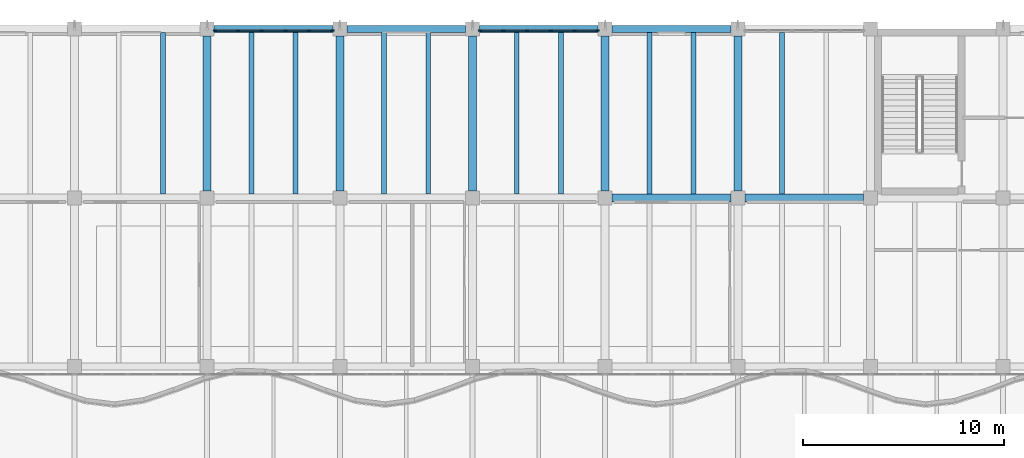
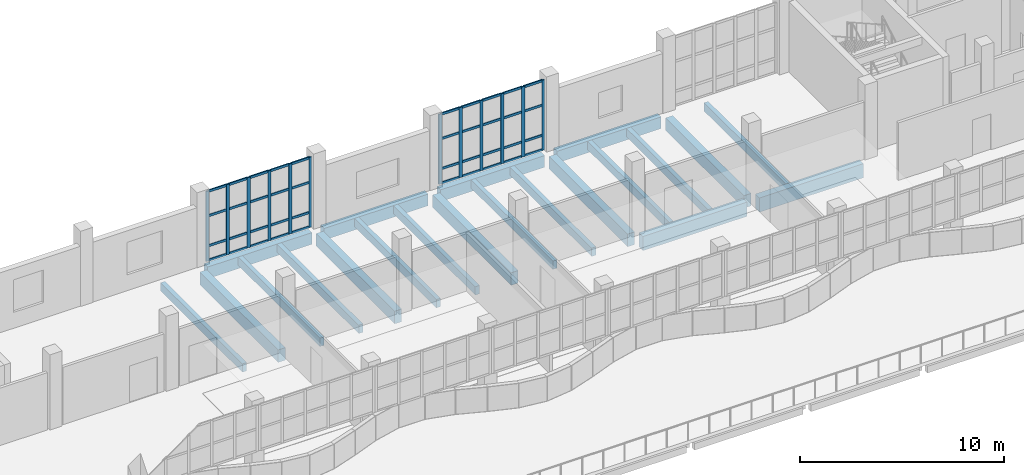
# One storey, part 15 of 83: 52 members, 21 beams, 2 elements without a shape of their own.
"""IFC4 building model written with IfcOpenShell, lengths in metres."""

from ifc_helpers import new_model, si_unit, direction, frame, origin, origin_2d, place, context, subcontext, project, spatial, rectangle, extrude, material, material_profile, profile_set, type_object, element, aggregate, save


model = new_model("IFC4")

# Units and contexts
model_context = context("Model", 3, precision=1e-05, world=origin(), true_north=direction((0.0, 1.0)))
body_context = subcontext(model_context, "Body", "Model", "MODEL_VIEW")
ifc_project = project(units=[si_unit("LENGTHUNIT", "METRE"), si_unit("AREAUNIT", "SQUARE_METRE"), si_unit("VOLUMEUNIT", "CUBIC_METRE"), si_unit("PLANEANGLEUNIT", "RADIAN"), si_unit("MASSUNIT", "GRAM", prefix="KILO")], contexts=[model_context])

# Site, building, storey
site_placement = place(None, origin())
site = spatial("IfcSite", under=ifc_project, at=site_placement, CompositionType="ELEMENT")
building_placement = place(site_placement, origin())
building = spatial("IfcBuilding", under=site, at=building_placement, Name="Qaldarim Faculty of Natural and Applied Sciences", CompositionType="ELEMENT")
storey_placement = place(building_placement, frame((0.0, 0.0, 5.39990234375)))
storey = spatial("IfcBuildingStorey", under=building, at=storey_placement, Name="L01", CompositionType="ELEMENT", Elevation=5.39990234375)

# Beams
ifc_material_1 = material(Name="Concrete C40/50", Category="concrete")
ifc_material_profile_1 = material_profile(ifc_material_1, rectangle(XDim=0.239990234375, YDim=0.5, at=origin_2d()), Name="RC-J240x500")
ifc_profile_set_1 = profile_set([ifc_material_profile_1], Name="Concrete C40/50")
beam_type_1 = type_object("IfcBeamType", Name="HeavyJoist-RC240x500", PredefinedType="JOIST", material=ifc_profile_set_1)
for number, where, z_axis, x_axis, name in (
    (1, (63.800048828125, 109.39990234375, -0.5498046875), (0.0, 1.0, 0.0), (-1.0, 0.0, 0.0), "Laboratory joist L00 bay X10Y14-2"),
    (2, (68.199951171875, 109.39990234375, -0.5498046875), (0.0, 1.0, 0.0), (-1.0, 0.0, 0.0), "Laboratory joist L00 bay X11Y14-1"),
    (3, (70.39990234375, 109.39990234375, -0.5498046875), (0.0, 1.0, 0.0), (-1.0, 0.0, 0.0), "Laboratory joist L00 bay X11Y14-2"),
    (4, (74.800048828125, 109.39990234375, -0.5498046875), (0.0, 1.0, 0.0), (-1.0, 0.0, 0.0), "Laboratory joist L00 bay X12Y14-1"),
    (5, (77.0, 109.39990234375, -0.5498046875), (0.0, 1.0, 0.0), (-1.0, 0.0, 0.0), "Laboratory joist L00 bay X12Y14-2"),
    (6, (81.39990234375, 109.39990234375, -0.5498046875), (0.0, 1.0, 0.0), (-1.0, 0.0, 0.0), "Laboratory joist L00 bay X13Y14-1"),
    (7, (83.60009765625, 109.39990234375, -0.5498046875), (0.0, 1.0, 0.0), (-1.0, 0.0, 0.0), "Laboratory joist L00 bay X13Y14-2"),
    (8, (88.0, 109.39990234375, -0.5498046875), (0.0, 1.0, 0.0), (-1.0, 0.0, 0.0), "Laboratory joist L00 bay X14Y14-1"),
    (9, (90.199951171875, 109.39990234375, -0.5498046875), (0.0, 1.0, 0.0), (-1.0, 0.0, 0.0), "Laboratory joist L00 bay X14Y14-2"),
    (10, (94.60009765625, 109.39990234375, -0.5498046875), (0.0, 1.0, 0.0), (-1.0, 0.0, 0.0), "Laboratory joist L00 bay X15Y14-1"),
):
    element("IfcBeam", number, at=place(storey_placement, frame(where, z_axis=z_axis, x_axis=x_axis)), inside=storey, type_object=beam_type_1, Name=name, PredefinedType="JOIST", context=body_context, shape_type="SweptSolid", body=[
        extrude(rectangle(XDim=0.239990234375, YDim=0.5, at=origin_2d()), origin(), (0.0, 0.0, 1.0), 8.025146484375),
    ])
ifc_material_2 = material(Name="Concrete C50/60", Category="concrete")
ifc_material_profile_2 = material_profile(ifc_material_2, rectangle(XDim=0.39990234375, YDim=0.75, at=origin_2d()), Name="RC-B400x750")
ifc_profile_set_2 = profile_set([ifc_material_profile_2], Name="Concrete C50/60")
beam_type_2 = type_object("IfcBeamType", Name="LabGirder-RC400x750", PredefinedType="BEAM", material=ifc_profile_set_2)
for number, where, z_axis, x_axis, name in (
    (11, (66.0, 109.550048828125, -0.6748046875), (0.0, 1.0, 0.0), (-1.0, 0.0, 0.0), "Beam RC-B400x750 L00 X11/Y14-Y15"),
    (12, (72.60009765625, 109.550048828125, -0.6748046875), (0.0, 1.0, 0.0), (-1.0, 0.0, 0.0), "Beam RC-B400x750 L00 X12/Y14-Y15"),
    (13, (79.199951171875, 109.550048828125, -0.6748046875), (0.0, 1.0, 0.0), (-1.0, 0.0, 0.0), "Beam RC-B400x750 L00 X13/Y14-Y15"),
    (14, (85.800048828125, 109.550048828125, -0.6748046875), (0.0, 1.0, 0.0), (-1.0, 0.0, 0.0), "Beam RC-B400x750 L00 X14/Y14-Y15"),
    (15, (92.39990234375, 109.550048828125, -0.6748046875), (0.0, 1.0, 0.0), (-1.0, 0.0, 0.0), "Beam RC-B400x750 L00 X15/Y14-Y15"),
):
    element("IfcBeam", number, at=place(storey_placement, frame(where, z_axis=z_axis, x_axis=x_axis)), inside=storey, type_object=beam_type_2, Name=name, PredefinedType="BEAM", context=body_context, shape_type="SweptSolid", body=[
        extrude(rectangle(XDim=0.39990234375, YDim=0.75, at=origin_2d()), origin(), (0.0, 0.0, 1.0), 7.699951171875),
    ])

# Curtain wall, members
ifc_material_3 = material(Name="Anodised aluminium AW-6063", Category="aluminium")
curtain_wall_type = type_object("IfcCurtainWallType", Name="CurtainWallSystem-M1200", PredefinedType="USERDEFINED", material=ifc_material_3)
curtain_wall_1_placement = place(storey_placement, origin())
curtain_wall_1 = element("IfcCurtainWall", 16, at=curtain_wall_1_placement, inside=storey, type_object=curtain_wall_type, Name="Curtain wall CW-L01-N-X11Y14", ObjectType="STICK CURTAIN WALL", PredefinedType="USERDEFINED")
ifc_material_profile_3 = material_profile(ifc_material_3, rectangle(XDim=0.070068359375, YDim=0.179931640625, at=origin_2d()), Name="ALU-M70x180")
ifc_profile_set_3 = profile_set([ifc_material_profile_3], Name="Anodised aluminium AW-6063")
member_type_1 = type_object("IfcMemberType", Name="Mullion-ALU70x180", PredefinedType="MULLION", material=ifc_profile_set_3)
member_1_placement = place(storey_placement, frame((72.219970703125, 117.52001953125, 0.0), z_axis=(0.0, 0.0, 1.0), x_axis=(0.0, -1.0, 0.0)))
member_1 = element("IfcMember", 17, at=member_1_placement, type_object=member_type_1, Name="Mullion 1 of CW-L01-N-X11Y14", PredefinedType="MULLION", context=body_context, shape_type="SweptSolid", body=[
    extrude(rectangle(XDim=0.070068359375, YDim=0.179931640625, at=origin_2d()), origin(), (0.0, 0.0, 1.0), 4.2001953125),
])
member_2_placement = place(storey_placement, frame((71.072998046875, 117.52001953125, 0.0), z_axis=(0.0, 0.0, 1.0), x_axis=(0.0, -1.0, 0.0)))
member_2 = element("IfcMember", 18, at=member_2_placement, type_object=member_type_1, Name="Mullion 2 of CW-L01-N-X11Y14", PredefinedType="MULLION", context=body_context, shape_type="SweptSolid", body=[
    extrude(rectangle(XDim=0.070068359375, YDim=0.179931640625, at=origin_2d()), origin(), (0.0, 0.0, 1.0), 4.2001953125),
])
member_3_placement = place(storey_placement, frame((69.89111328125, 117.52001953125, 0.0), z_axis=(0.0, 0.0, 1.0), x_axis=(0.0, -1.0, 0.0)))
member_3 = element("IfcMember", 19, at=member_3_placement, type_object=member_type_1, Name="Mullion 3 of CW-L01-N-X11Y14", PredefinedType="MULLION", context=body_context, shape_type="SweptSolid", body=[
    extrude(rectangle(XDim=0.070068359375, YDim=0.179931640625, at=origin_2d()), origin(), (0.0, 0.0, 1.0), 4.2001953125),
])
member_4_placement = place(storey_placement, frame((68.708984375, 117.52001953125, 0.0), z_axis=(0.0, 0.0, 1.0), x_axis=(0.0, -1.0, 0.0)))
member_4 = element("IfcMember", 20, at=member_4_placement, type_object=member_type_1, Name="Mullion 4 of CW-L01-N-X11Y14", PredefinedType="MULLION", context=body_context, shape_type="SweptSolid", body=[
    extrude(rectangle(XDim=0.070068359375, YDim=0.179931640625, at=origin_2d()), origin(), (0.0, 0.0, 1.0), 4.2001953125),
])
member_5_placement = place(storey_placement, frame((67.527099609375, 117.52001953125, 0.0), z_axis=(0.0, 0.0, 1.0), x_axis=(0.0, -1.0, 0.0)))
member_5 = element("IfcMember", 21, at=member_5_placement, type_object=member_type_1, Name="Mullion 5 of CW-L01-N-X11Y14", PredefinedType="MULLION", context=body_context, shape_type="SweptSolid", body=[
    extrude(rectangle(XDim=0.070068359375, YDim=0.179931640625, at=origin_2d()), origin(), (0.0, 0.0, 1.0), 4.2001953125),
])
member_6_placement = place(storey_placement, frame((66.3798828125, 117.52001953125, 0.0), z_axis=(0.0, 0.0, 1.0), x_axis=(0.0, -1.0, 0.0)))
member_6 = element("IfcMember", 22, at=member_6_placement, type_object=member_type_1, Name="Mullion 6 of CW-L01-N-X11Y14", PredefinedType="MULLION", context=body_context, shape_type="SweptSolid", body=[
    extrude(rectangle(XDim=0.070068359375, YDim=0.179931640625, at=origin_2d()), origin(), (0.0, 0.0, 1.0), 4.2001953125),
])

curtain_wall_2_placement = place(storey_placement, origin())
curtain_wall_2 = element("IfcCurtainWall", 23, at=curtain_wall_2_placement, inside=storey, type_object=curtain_wall_type, Name="Curtain wall CW-L01-N-X13Y14", ObjectType="STICK CURTAIN WALL", PredefinedType="USERDEFINED")
member_7_placement = place(storey_placement, frame((85.419921875, 117.52001953125, 0.0), z_axis=(0.0, 0.0, 1.0), x_axis=(0.0, -1.0, 0.0)))
member_7 = element("IfcMember", 24, at=member_7_placement, type_object=member_type_1, Name="Mullion 1 of CW-L01-N-X13Y14", PredefinedType="MULLION", context=body_context, shape_type="SweptSolid", body=[
    extrude(rectangle(XDim=0.070068359375, YDim=0.179931640625, at=origin_2d()), origin(), (0.0, 0.0, 1.0), 4.2001953125),
])
member_8_placement = place(storey_placement, frame((84.27294921875, 117.52001953125, 0.0), z_axis=(0.0, 0.0, 1.0), x_axis=(0.0, -1.0, 0.0)))
member_8 = element("IfcMember", 25, at=member_8_placement, type_object=member_type_1, Name="Mullion 2 of CW-L01-N-X13Y14", PredefinedType="MULLION", context=body_context, shape_type="SweptSolid", body=[
    extrude(rectangle(XDim=0.070068359375, YDim=0.179931640625, at=origin_2d()), origin(), (0.0, 0.0, 1.0), 4.2001953125),
])
member_9_placement = place(storey_placement, frame((83.091064453125, 117.52001953125, 0.0), z_axis=(0.0, 0.0, 1.0), x_axis=(0.0, -1.0, 0.0)))
member_9 = element("IfcMember", 26, at=member_9_placement, type_object=member_type_1, Name="Mullion 3 of CW-L01-N-X13Y14", PredefinedType="MULLION", context=body_context, shape_type="SweptSolid", body=[
    extrude(rectangle(XDim=0.070068359375, YDim=0.179931640625, at=origin_2d()), origin(), (0.0, 0.0, 1.0), 4.2001953125),
])
member_10_placement = place(storey_placement, frame((81.908935546875, 117.52001953125, 0.0), z_axis=(0.0, 0.0, 1.0), x_axis=(0.0, -1.0, 0.0)))
member_10 = element("IfcMember", 27, at=member_10_placement, type_object=member_type_1, Name="Mullion 4 of CW-L01-N-X13Y14", PredefinedType="MULLION", context=body_context, shape_type="SweptSolid", body=[
    extrude(rectangle(XDim=0.070068359375, YDim=0.179931640625, at=origin_2d()), origin(), (0.0, 0.0, 1.0), 4.2001953125),
])
member_11_placement = place(storey_placement, frame((80.72705078125, 117.52001953125, 0.0), z_axis=(0.0, 0.0, 1.0), x_axis=(0.0, -1.0, 0.0)))
member_11 = element("IfcMember", 28, at=member_11_placement, type_object=member_type_1, Name="Mullion 5 of CW-L01-N-X13Y14", PredefinedType="MULLION", context=body_context, shape_type="SweptSolid", body=[
    extrude(rectangle(XDim=0.070068359375, YDim=0.179931640625, at=origin_2d()), origin(), (0.0, 0.0, 1.0), 4.2001953125),
])
member_12_placement = place(storey_placement, frame((79.580078125, 117.52001953125, 0.0), z_axis=(0.0, 0.0, 1.0), x_axis=(0.0, -1.0, 0.0)))
member_12 = element("IfcMember", 29, at=member_12_placement, type_object=member_type_1, Name="Mullion 6 of CW-L01-N-X13Y14", PredefinedType="MULLION", context=body_context, shape_type="SweptSolid", body=[
    extrude(rectangle(XDim=0.070068359375, YDim=0.179931640625, at=origin_2d()), origin(), (0.0, 0.0, 1.0), 4.2001953125),
])

# Beams
ifc_material_profile_4 = material_profile(ifc_material_2, rectangle(XDim=0.39990234375, YDim=0.85009765625, at=origin_2d()), Name="RC-B400x850")
ifc_profile_set_4 = profile_set([ifc_material_profile_4], Name="Concrete C50/60")
beam_type_3 = type_object("IfcBeamType", Name="PodiumGirder-RC400x850", PredefinedType="BEAM", material=ifc_profile_set_4)
beam_1_placement = place(storey_placement, frame((86.14990234375, 109.199951171875, -0.724853515625), z_axis=(1.0, 0.0, 0.0), x_axis=(0.0, 1.0, 0.0)))
element("IfcBeam", 30, at=beam_1_placement, inside=storey, type_object=beam_type_3, Name="Beam RC-B400x850 L00 X14-X15/Y14", PredefinedType="BEAM", context=body_context, shape_type="SweptSolid", body=[
    extrude(rectangle(XDim=0.39990234375, YDim=0.85009765625, at=origin_2d()), origin(), (0.0, 0.0, 1.0), 5.900146484375),
])
beam_2_placement = place(storey_placement, frame((92.75, 109.199951171875, -0.724853515625), z_axis=(1.0, 0.0, 0.0), x_axis=(0.0, 1.0, 0.0)))
element("IfcBeam", 31, at=beam_2_placement, inside=storey, type_object=beam_type_3, Name="Beam RC-B400x850 L00 X15-X16/Y14", PredefinedType="BEAM", context=body_context, shape_type="SweptSolid", body=[
    extrude(rectangle(XDim=0.39990234375, YDim=0.85009765625, at=origin_2d()), origin(), (0.0, 0.0, 1.0), 5.89990234375),
])
ifc_material_profile_5 = material_profile(ifc_material_1, rectangle(XDim=0.35009765625, YDim=0.699951171875, at=origin_2d()), Name="RC-B350x700")
ifc_profile_set_5 = profile_set([ifc_material_profile_5], Name="Concrete C40/50")
beam_type_4 = type_object("IfcBeamType", Name="PrimaryGirder-RC350x700", PredefinedType="BEAM", material=ifc_profile_set_5)
beam_3_placement = place(storey_placement, frame((66.35009765625, 117.60009765625, -0.64990234375), z_axis=(1.0, 0.0, 0.0), x_axis=(0.0, 1.0, 0.0)))
element("IfcBeam", 32, at=beam_3_placement, inside=storey, type_object=beam_type_4, Name="Beam RC-B350x700 L00 X11-X12/Y15", PredefinedType="BEAM", context=body_context, shape_type="SweptSolid", body=[
    extrude(rectangle(XDim=0.35009765625, YDim=0.699951171875, at=origin_2d()), origin(), (0.0, 0.0, 1.0), 5.89990234375),
])
beam_4_placement = place(storey_placement, frame((72.949951171875, 117.60009765625, -0.64990234375), z_axis=(1.0, 0.0, 0.0), x_axis=(0.0, 1.0, 0.0)))
element("IfcBeam", 33, at=beam_4_placement, inside=storey, type_object=beam_type_4, Name="Beam RC-B350x700 L00 X12-X13/Y15", PredefinedType="BEAM", context=body_context, shape_type="SweptSolid", body=[
    extrude(rectangle(XDim=0.35009765625, YDim=0.699951171875, at=origin_2d()), origin(), (0.0, 0.0, 1.0), 5.900146484375),
])
beam_5_placement = place(storey_placement, frame((79.550048828125, 117.60009765625, -0.64990234375), z_axis=(1.0, 0.0, 0.0), x_axis=(0.0, 1.0, 0.0)))
element("IfcBeam", 34, at=beam_5_placement, inside=storey, type_object=beam_type_4, Name="Beam RC-B350x700 L00 X13-X14/Y15", PredefinedType="BEAM", context=body_context, shape_type="SweptSolid", body=[
    extrude(rectangle(XDim=0.35009765625, YDim=0.699951171875, at=origin_2d()), origin(), (0.0, 0.0, 1.0), 5.89990234375),
])
beam_6_placement = place(storey_placement, frame((86.14990234375, 117.60009765625, -0.64990234375), z_axis=(1.0, 0.0, 0.0), x_axis=(0.0, 1.0, 0.0)))
element("IfcBeam", 35, at=beam_6_placement, inside=storey, type_object=beam_type_4, Name="Beam RC-B350x700 L00 X14-X15/Y15", PredefinedType="BEAM", context=body_context, shape_type="SweptSolid", body=[
    extrude(rectangle(XDim=0.35009765625, YDim=0.699951171875, at=origin_2d()), origin(), (0.0, 0.0, 1.0), 5.900146484375),
])

# Member
ifc_material_profile_6 = material_profile(ifc_material_3, rectangle(XDim=0.070068359375, YDim=0.139892578125, at=origin_2d()), Name="ALU-T70x140")
ifc_profile_set_6 = profile_set([ifc_material_profile_6], Name="Anodised aluminium AW-6063")
member_type_2 = type_object("IfcMemberType", Name="Transom-ALU70x140", PredefinedType="USERDEFINED", material=ifc_profile_set_6)
member_13_placement = place(storey_placement, frame((72.18505859375, 117.52001953125, 0.03515625), z_axis=(-1.0, 0.0, 0.0), x_axis=(0.0, -1.0, 0.0)))
member_13 = element("IfcMember", 36, at=member_13_placement, type_object=member_type_2, Name="Transom 1-1 of CW-L01-N-X11Y14", ObjectType="TRANSOM", PredefinedType="USERDEFINED", context=body_context, shape_type="SweptSolid", body=[
    extrude(rectangle(XDim=0.070068359375, YDim=0.139892578125, at=origin_2d()), origin(), (0.0, 0.0, 1.0), 1.0771484375),
])

member_14_placement = place(storey_placement, frame((72.18505859375, 117.52001953125, 0.900146484375), z_axis=(-1.0, 0.0, 0.0), x_axis=(0.0, -1.0, 0.0)))
member_14 = element("IfcMember", 37, at=member_14_placement, type_object=member_type_2, Name="Transom 1-2 of CW-L01-N-X11Y14", ObjectType="TRANSOM", PredefinedType="USERDEFINED", context=body_context, shape_type="SweptSolid", body=[
    extrude(rectangle(XDim=0.070068359375, YDim=0.139892578125, at=origin_2d()), origin(), (0.0, 0.0, 1.0), 1.0771484375),
])

member_15_placement = place(storey_placement, frame((72.18505859375, 117.52001953125, 2.7001953125), z_axis=(-1.0, 0.0, 0.0), x_axis=(0.0, -1.0, 0.0)))
member_15 = element("IfcMember", 38, at=member_15_placement, type_object=member_type_2, Name="Transom 1-3 of CW-L01-N-X11Y14", ObjectType="TRANSOM", PredefinedType="USERDEFINED", context=body_context, shape_type="SweptSolid", body=[
    extrude(rectangle(XDim=0.070068359375, YDim=0.139892578125, at=origin_2d()), origin(), (0.0, 0.0, 1.0), 1.0771484375),
])

member_16_placement = place(storey_placement, frame((72.18505859375, 117.52001953125, 4.1650390625), z_axis=(-1.0, 0.0, 0.0), x_axis=(0.0, -1.0, 0.0)))
member_16 = element("IfcMember", 39, at=member_16_placement, type_object=member_type_2, Name="Transom 1-4 of CW-L01-N-X11Y14", ObjectType="TRANSOM", PredefinedType="USERDEFINED", context=body_context, shape_type="SweptSolid", body=[
    extrude(rectangle(XDim=0.070068359375, YDim=0.139892578125, at=origin_2d()), origin(), (0.0, 0.0, 1.0), 1.0771484375),
])

member_17_placement = place(storey_placement, frame((71.0380859375, 117.52001953125, 0.03515625), z_axis=(-1.0, 0.0, 0.0), x_axis=(0.0, -1.0, 0.0)))
member_17 = element("IfcMember", 40, at=member_17_placement, type_object=member_type_2, Name="Transom 2-1 of CW-L01-N-X11Y14", ObjectType="TRANSOM", PredefinedType="USERDEFINED", context=body_context, shape_type="SweptSolid", body=[
    extrude(rectangle(XDim=0.070068359375, YDim=0.139892578125, at=origin_2d()), origin(), (0.0, 0.0, 1.0), 1.112060546875),
])

member_18_placement = place(storey_placement, frame((71.0380859375, 117.52001953125, 0.900146484375), z_axis=(-1.0, 0.0, 0.0), x_axis=(0.0, -1.0, 0.0)))
member_18 = element("IfcMember", 41, at=member_18_placement, type_object=member_type_2, Name="Transom 2-2 of CW-L01-N-X11Y14", ObjectType="TRANSOM", PredefinedType="USERDEFINED", context=body_context, shape_type="SweptSolid", body=[
    extrude(rectangle(XDim=0.070068359375, YDim=0.139892578125, at=origin_2d()), origin(), (0.0, 0.0, 1.0), 1.112060546875),
])

member_19_placement = place(storey_placement, frame((71.0380859375, 117.52001953125, 2.7001953125), z_axis=(-1.0, 0.0, 0.0), x_axis=(0.0, -1.0, 0.0)))
member_19 = element("IfcMember", 42, at=member_19_placement, type_object=member_type_2, Name="Transom 2-3 of CW-L01-N-X11Y14", ObjectType="TRANSOM", PredefinedType="USERDEFINED", context=body_context, shape_type="SweptSolid", body=[
    extrude(rectangle(XDim=0.070068359375, YDim=0.139892578125, at=origin_2d()), origin(), (0.0, 0.0, 1.0), 1.112060546875),
])

member_20_placement = place(storey_placement, frame((71.0380859375, 117.52001953125, 4.1650390625), z_axis=(-1.0, 0.0, 0.0), x_axis=(0.0, -1.0, 0.0)))
member_20 = element("IfcMember", 43, at=member_20_placement, type_object=member_type_2, Name="Transom 2-4 of CW-L01-N-X11Y14", ObjectType="TRANSOM", PredefinedType="USERDEFINED", context=body_context, shape_type="SweptSolid", body=[
    extrude(rectangle(XDim=0.070068359375, YDim=0.139892578125, at=origin_2d()), origin(), (0.0, 0.0, 1.0), 1.112060546875),
])

member_21_placement = place(storey_placement, frame((69.85595703125, 117.52001953125, 0.03515625), z_axis=(-1.0, 0.0, 0.0), x_axis=(0.0, -1.0, 0.0)))
member_21 = element("IfcMember", 44, at=member_21_placement, type_object=member_type_2, Name="Transom 3-1 of CW-L01-N-X11Y14", ObjectType="TRANSOM", PredefinedType="USERDEFINED", context=body_context, shape_type="SweptSolid", body=[
    extrude(rectangle(XDim=0.070068359375, YDim=0.139892578125, at=origin_2d()), origin(), (0.0, 0.0, 1.0), 1.112060546875),
])

member_22_placement = place(storey_placement, frame((69.85595703125, 117.52001953125, 0.900146484375), z_axis=(-1.0, 0.0, 0.0), x_axis=(0.0, -1.0, 0.0)))
member_22 = element("IfcMember", 45, at=member_22_placement, type_object=member_type_2, Name="Transom 3-2 of CW-L01-N-X11Y14", ObjectType="TRANSOM", PredefinedType="USERDEFINED", context=body_context, shape_type="SweptSolid", body=[
    extrude(rectangle(XDim=0.070068359375, YDim=0.139892578125, at=origin_2d()), origin(), (0.0, 0.0, 1.0), 1.112060546875),
])

member_23_placement = place(storey_placement, frame((69.85595703125, 117.52001953125, 2.7001953125), z_axis=(-1.0, 0.0, 0.0), x_axis=(0.0, -1.0, 0.0)))
member_23 = element("IfcMember", 46, at=member_23_placement, type_object=member_type_2, Name="Transom 3-3 of CW-L01-N-X11Y14", ObjectType="TRANSOM", PredefinedType="USERDEFINED", context=body_context, shape_type="SweptSolid", body=[
    extrude(rectangle(XDim=0.070068359375, YDim=0.139892578125, at=origin_2d()), origin(), (0.0, 0.0, 1.0), 1.112060546875),
])

member_24_placement = place(storey_placement, frame((69.85595703125, 117.52001953125, 4.1650390625), z_axis=(-1.0, 0.0, 0.0), x_axis=(0.0, -1.0, 0.0)))
member_24 = element("IfcMember", 47, at=member_24_placement, type_object=member_type_2, Name="Transom 3-4 of CW-L01-N-X11Y14", ObjectType="TRANSOM", PredefinedType="USERDEFINED", context=body_context, shape_type="SweptSolid", body=[
    extrude(rectangle(XDim=0.070068359375, YDim=0.139892578125, at=origin_2d()), origin(), (0.0, 0.0, 1.0), 1.112060546875),
])

member_25_placement = place(storey_placement, frame((68.674072265625, 117.52001953125, 0.03515625), z_axis=(-1.0, 0.0, 0.0), x_axis=(0.0, -1.0, 0.0)))
member_25 = element("IfcMember", 48, at=member_25_placement, type_object=member_type_2, Name="Transom 4-1 of CW-L01-N-X11Y14", ObjectType="TRANSOM", PredefinedType="USERDEFINED", context=body_context, shape_type="SweptSolid", body=[
    extrude(rectangle(XDim=0.070068359375, YDim=0.139892578125, at=origin_2d()), origin(), (0.0, 0.0, 1.0), 1.112060546875),
])

member_26_placement = place(storey_placement, frame((68.674072265625, 117.52001953125, 0.900146484375), z_axis=(-1.0, 0.0, 0.0), x_axis=(0.0, -1.0, 0.0)))
member_26 = element("IfcMember", 49, at=member_26_placement, type_object=member_type_2, Name="Transom 4-2 of CW-L01-N-X11Y14", ObjectType="TRANSOM", PredefinedType="USERDEFINED", context=body_context, shape_type="SweptSolid", body=[
    extrude(rectangle(XDim=0.070068359375, YDim=0.139892578125, at=origin_2d()), origin(), (0.0, 0.0, 1.0), 1.112060546875),
])

member_27_placement = place(storey_placement, frame((68.674072265625, 117.52001953125, 2.7001953125), z_axis=(-1.0, 0.0, 0.0), x_axis=(0.0, -1.0, 0.0)))
member_27 = element("IfcMember", 50, at=member_27_placement, type_object=member_type_2, Name="Transom 4-3 of CW-L01-N-X11Y14", ObjectType="TRANSOM", PredefinedType="USERDEFINED", context=body_context, shape_type="SweptSolid", body=[
    extrude(rectangle(XDim=0.070068359375, YDim=0.139892578125, at=origin_2d()), origin(), (0.0, 0.0, 1.0), 1.112060546875),
])

member_28_placement = place(storey_placement, frame((68.674072265625, 117.52001953125, 4.1650390625), z_axis=(-1.0, 0.0, 0.0), x_axis=(0.0, -1.0, 0.0)))
member_28 = element("IfcMember", 51, at=member_28_placement, type_object=member_type_2, Name="Transom 4-4 of CW-L01-N-X11Y14", ObjectType="TRANSOM", PredefinedType="USERDEFINED", context=body_context, shape_type="SweptSolid", body=[
    extrude(rectangle(XDim=0.070068359375, YDim=0.139892578125, at=origin_2d()), origin(), (0.0, 0.0, 1.0), 1.112060546875),
])

member_29_placement = place(storey_placement, frame((67.491943359375, 117.52001953125, 0.03515625), z_axis=(-1.0, 0.0, 0.0), x_axis=(0.0, -1.0, 0.0)))
member_29 = element("IfcMember", 52, at=member_29_placement, type_object=member_type_2, Name="Transom 5-1 of CW-L01-N-X11Y14", ObjectType="TRANSOM", PredefinedType="USERDEFINED", context=body_context, shape_type="SweptSolid", body=[
    extrude(rectangle(XDim=0.070068359375, YDim=0.139892578125, at=origin_2d()), origin(), (0.0, 0.0, 1.0), 1.076904296875),
])

member_30_placement = place(storey_placement, frame((67.491943359375, 117.52001953125, 0.900146484375), z_axis=(-1.0, 0.0, 0.0), x_axis=(0.0, -1.0, 0.0)))
member_30 = element("IfcMember", 53, at=member_30_placement, type_object=member_type_2, Name="Transom 5-2 of CW-L01-N-X11Y14", ObjectType="TRANSOM", PredefinedType="USERDEFINED", context=body_context, shape_type="SweptSolid", body=[
    extrude(rectangle(XDim=0.070068359375, YDim=0.139892578125, at=origin_2d()), origin(), (0.0, 0.0, 1.0), 1.076904296875),
])

member_31_placement = place(storey_placement, frame((67.491943359375, 117.52001953125, 2.7001953125), z_axis=(-1.0, 0.0, 0.0), x_axis=(0.0, -1.0, 0.0)))
member_31 = element("IfcMember", 54, at=member_31_placement, type_object=member_type_2, Name="Transom 5-3 of CW-L01-N-X11Y14", ObjectType="TRANSOM", PredefinedType="USERDEFINED", context=body_context, shape_type="SweptSolid", body=[
    extrude(rectangle(XDim=0.070068359375, YDim=0.139892578125, at=origin_2d()), origin(), (0.0, 0.0, 1.0), 1.076904296875),
])

member_32_placement = place(storey_placement, frame((67.491943359375, 117.52001953125, 4.1650390625), z_axis=(-1.0, 0.0, 0.0), x_axis=(0.0, -1.0, 0.0)))
member_32 = element("IfcMember", 55, at=member_32_placement, type_object=member_type_2, Name="Transom 5-4 of CW-L01-N-X11Y14", ObjectType="TRANSOM", PredefinedType="USERDEFINED", context=body_context, shape_type="SweptSolid", body=[
    extrude(rectangle(XDim=0.070068359375, YDim=0.139892578125, at=origin_2d()), origin(), (0.0, 0.0, 1.0), 1.076904296875),
])

aggregate(curtain_wall_1, [member_1, member_2, member_3, member_4, member_5, member_6, member_13, member_14, member_15, member_16, member_17, member_18, member_19, member_20, member_21, member_22, member_23, member_24, member_25, member_26, member_27, member_28, member_29, member_30, member_31, member_32])

member_33_placement = place(storey_placement, frame((85.385009765625, 117.52001953125, 0.03515625), z_axis=(-1.0, 0.0, 0.0), x_axis=(0.0, -1.0, 0.0)))
member_33 = element("IfcMember", 56, at=member_33_placement, type_object=member_type_2, Name="Transom 1-1 of CW-L01-N-X13Y14", ObjectType="TRANSOM", PredefinedType="USERDEFINED", context=body_context, shape_type="SweptSolid", body=[
    extrude(rectangle(XDim=0.070068359375, YDim=0.139892578125, at=origin_2d()), origin(), (0.0, 0.0, 1.0), 1.076904296875),
])

member_34_placement = place(storey_placement, frame((85.385009765625, 117.52001953125, 0.900146484375), z_axis=(-1.0, 0.0, 0.0), x_axis=(0.0, -1.0, 0.0)))
member_34 = element("IfcMember", 57, at=member_34_placement, type_object=member_type_2, Name="Transom 1-2 of CW-L01-N-X13Y14", ObjectType="TRANSOM", PredefinedType="USERDEFINED", context=body_context, shape_type="SweptSolid", body=[
    extrude(rectangle(XDim=0.070068359375, YDim=0.139892578125, at=origin_2d()), origin(), (0.0, 0.0, 1.0), 1.076904296875),
])

member_35_placement = place(storey_placement, frame((85.385009765625, 117.52001953125, 2.7001953125), z_axis=(-1.0, 0.0, 0.0), x_axis=(0.0, -1.0, 0.0)))
member_35 = element("IfcMember", 58, at=member_35_placement, type_object=member_type_2, Name="Transom 1-3 of CW-L01-N-X13Y14", ObjectType="TRANSOM", PredefinedType="USERDEFINED", context=body_context, shape_type="SweptSolid", body=[
    extrude(rectangle(XDim=0.070068359375, YDim=0.139892578125, at=origin_2d()), origin(), (0.0, 0.0, 1.0), 1.076904296875),
])

member_36_placement = place(storey_placement, frame((85.385009765625, 117.52001953125, 4.1650390625), z_axis=(-1.0, 0.0, 0.0), x_axis=(0.0, -1.0, 0.0)))
member_36 = element("IfcMember", 59, at=member_36_placement, type_object=member_type_2, Name="Transom 1-4 of CW-L01-N-X13Y14", ObjectType="TRANSOM", PredefinedType="USERDEFINED", context=body_context, shape_type="SweptSolid", body=[
    extrude(rectangle(XDim=0.070068359375, YDim=0.139892578125, at=origin_2d()), origin(), (0.0, 0.0, 1.0), 1.076904296875),
])

member_37_placement = place(storey_placement, frame((84.238037109375, 117.52001953125, 0.03515625), z_axis=(-1.0, 0.0, 0.0), x_axis=(0.0, -1.0, 0.0)))
member_37 = element("IfcMember", 60, at=member_37_placement, type_object=member_type_2, Name="Transom 2-1 of CW-L01-N-X13Y14", ObjectType="TRANSOM", PredefinedType="USERDEFINED", context=body_context, shape_type="SweptSolid", body=[
    extrude(rectangle(XDim=0.070068359375, YDim=0.139892578125, at=origin_2d()), origin(), (0.0, 0.0, 1.0), 1.112060546875),
])

member_38_placement = place(storey_placement, frame((84.238037109375, 117.52001953125, 0.900146484375), z_axis=(-1.0, 0.0, 0.0), x_axis=(0.0, -1.0, 0.0)))
member_38 = element("IfcMember", 61, at=member_38_placement, type_object=member_type_2, Name="Transom 2-2 of CW-L01-N-X13Y14", ObjectType="TRANSOM", PredefinedType="USERDEFINED", context=body_context, shape_type="SweptSolid", body=[
    extrude(rectangle(XDim=0.070068359375, YDim=0.139892578125, at=origin_2d()), origin(), (0.0, 0.0, 1.0), 1.112060546875),
])

member_39_placement = place(storey_placement, frame((84.238037109375, 117.52001953125, 2.7001953125), z_axis=(-1.0, 0.0, 0.0), x_axis=(0.0, -1.0, 0.0)))
member_39 = element("IfcMember", 62, at=member_39_placement, type_object=member_type_2, Name="Transom 2-3 of CW-L01-N-X13Y14", ObjectType="TRANSOM", PredefinedType="USERDEFINED", context=body_context, shape_type="SweptSolid", body=[
    extrude(rectangle(XDim=0.070068359375, YDim=0.139892578125, at=origin_2d()), origin(), (0.0, 0.0, 1.0), 1.112060546875),
])

member_40_placement = place(storey_placement, frame((84.238037109375, 117.52001953125, 4.1650390625), z_axis=(-1.0, 0.0, 0.0), x_axis=(0.0, -1.0, 0.0)))
member_40 = element("IfcMember", 63, at=member_40_placement, type_object=member_type_2, Name="Transom 2-4 of CW-L01-N-X13Y14", ObjectType="TRANSOM", PredefinedType="USERDEFINED", context=body_context, shape_type="SweptSolid", body=[
    extrude(rectangle(XDim=0.070068359375, YDim=0.139892578125, at=origin_2d()), origin(), (0.0, 0.0, 1.0), 1.112060546875),
])

member_41_placement = place(storey_placement, frame((83.055908203125, 117.52001953125, 0.03515625), z_axis=(-1.0, 0.0, 0.0), x_axis=(0.0, -1.0, 0.0)))
member_41 = element("IfcMember", 64, at=member_41_placement, type_object=member_type_2, Name="Transom 3-1 of CW-L01-N-X13Y14", ObjectType="TRANSOM", PredefinedType="USERDEFINED", context=body_context, shape_type="SweptSolid", body=[
    extrude(rectangle(XDim=0.070068359375, YDim=0.139892578125, at=origin_2d()), origin(), (0.0, 0.0, 1.0), 1.11181640625),
])

member_42_placement = place(storey_placement, frame((83.055908203125, 117.52001953125, 0.900146484375), z_axis=(-1.0, 0.0, 0.0), x_axis=(0.0, -1.0, 0.0)))
member_42 = element("IfcMember", 65, at=member_42_placement, type_object=member_type_2, Name="Transom 3-2 of CW-L01-N-X13Y14", ObjectType="TRANSOM", PredefinedType="USERDEFINED", context=body_context, shape_type="SweptSolid", body=[
    extrude(rectangle(XDim=0.070068359375, YDim=0.139892578125, at=origin_2d()), origin(), (0.0, 0.0, 1.0), 1.11181640625),
])

member_43_placement = place(storey_placement, frame((83.055908203125, 117.52001953125, 2.7001953125), z_axis=(-1.0, 0.0, 0.0), x_axis=(0.0, -1.0, 0.0)))
member_43 = element("IfcMember", 66, at=member_43_placement, type_object=member_type_2, Name="Transom 3-3 of CW-L01-N-X13Y14", ObjectType="TRANSOM", PredefinedType="USERDEFINED", context=body_context, shape_type="SweptSolid", body=[
    extrude(rectangle(XDim=0.070068359375, YDim=0.139892578125, at=origin_2d()), origin(), (0.0, 0.0, 1.0), 1.11181640625),
])

member_44_placement = place(storey_placement, frame((83.055908203125, 117.52001953125, 4.1650390625), z_axis=(-1.0, 0.0, 0.0), x_axis=(0.0, -1.0, 0.0)))
member_44 = element("IfcMember", 67, at=member_44_placement, type_object=member_type_2, Name="Transom 3-4 of CW-L01-N-X13Y14", ObjectType="TRANSOM", PredefinedType="USERDEFINED", context=body_context, shape_type="SweptSolid", body=[
    extrude(rectangle(XDim=0.070068359375, YDim=0.139892578125, at=origin_2d()), origin(), (0.0, 0.0, 1.0), 1.11181640625),
])

member_45_placement = place(storey_placement, frame((81.8740234375, 117.52001953125, 0.03515625), z_axis=(-1.0, 0.0, 0.0), x_axis=(0.0, -1.0, 0.0)))
member_45 = element("IfcMember", 68, at=member_45_placement, type_object=member_type_2, Name="Transom 4-1 of CW-L01-N-X13Y14", ObjectType="TRANSOM", PredefinedType="USERDEFINED", context=body_context, shape_type="SweptSolid", body=[
    extrude(rectangle(XDim=0.070068359375, YDim=0.139892578125, at=origin_2d()), origin(), (0.0, 0.0, 1.0), 1.112060546875),
])

member_46_placement = place(storey_placement, frame((81.8740234375, 117.52001953125, 0.900146484375), z_axis=(-1.0, 0.0, 0.0), x_axis=(0.0, -1.0, 0.0)))
member_46 = element("IfcMember", 69, at=member_46_placement, type_object=member_type_2, Name="Transom 4-2 of CW-L01-N-X13Y14", ObjectType="TRANSOM", PredefinedType="USERDEFINED", context=body_context, shape_type="SweptSolid", body=[
    extrude(rectangle(XDim=0.070068359375, YDim=0.139892578125, at=origin_2d()), origin(), (0.0, 0.0, 1.0), 1.112060546875),
])

member_47_placement = place(storey_placement, frame((81.8740234375, 117.52001953125, 2.7001953125), z_axis=(-1.0, 0.0, 0.0), x_axis=(0.0, -1.0, 0.0)))
member_47 = element("IfcMember", 70, at=member_47_placement, type_object=member_type_2, Name="Transom 4-3 of CW-L01-N-X13Y14", ObjectType="TRANSOM", PredefinedType="USERDEFINED", context=body_context, shape_type="SweptSolid", body=[
    extrude(rectangle(XDim=0.070068359375, YDim=0.139892578125, at=origin_2d()), origin(), (0.0, 0.0, 1.0), 1.112060546875),
])

member_48_placement = place(storey_placement, frame((81.8740234375, 117.52001953125, 4.1650390625), z_axis=(-1.0, 0.0, 0.0), x_axis=(0.0, -1.0, 0.0)))
member_48 = element("IfcMember", 71, at=member_48_placement, type_object=member_type_2, Name="Transom 4-4 of CW-L01-N-X13Y14", ObjectType="TRANSOM", PredefinedType="USERDEFINED", context=body_context, shape_type="SweptSolid", body=[
    extrude(rectangle(XDim=0.070068359375, YDim=0.139892578125, at=origin_2d()), origin(), (0.0, 0.0, 1.0), 1.112060546875),
])

member_49_placement = place(storey_placement, frame((80.69189453125, 117.52001953125, 0.03515625), z_axis=(-1.0, 0.0, 0.0), x_axis=(0.0, -1.0, 0.0)))
member_49 = element("IfcMember", 72, at=member_49_placement, type_object=member_type_2, Name="Transom 5-1 of CW-L01-N-X13Y14", ObjectType="TRANSOM", PredefinedType="USERDEFINED", context=body_context, shape_type="SweptSolid", body=[
    extrude(rectangle(XDim=0.070068359375, YDim=0.139892578125, at=origin_2d()), origin(), (0.0, 0.0, 1.0), 1.076904296875),
])

member_50_placement = place(storey_placement, frame((80.69189453125, 117.52001953125, 0.900146484375), z_axis=(-1.0, 0.0, 0.0), x_axis=(0.0, -1.0, 0.0)))
member_50 = element("IfcMember", 73, at=member_50_placement, type_object=member_type_2, Name="Transom 5-2 of CW-L01-N-X13Y14", ObjectType="TRANSOM", PredefinedType="USERDEFINED", context=body_context, shape_type="SweptSolid", body=[
    extrude(rectangle(XDim=0.070068359375, YDim=0.139892578125, at=origin_2d()), origin(), (0.0, 0.0, 1.0), 1.076904296875),
])

member_51_placement = place(storey_placement, frame((80.69189453125, 117.52001953125, 2.7001953125), z_axis=(-1.0, 0.0, 0.0), x_axis=(0.0, -1.0, 0.0)))
member_51 = element("IfcMember", 74, at=member_51_placement, type_object=member_type_2, Name="Transom 5-3 of CW-L01-N-X13Y14", ObjectType="TRANSOM", PredefinedType="USERDEFINED", context=body_context, shape_type="SweptSolid", body=[
    extrude(rectangle(XDim=0.070068359375, YDim=0.139892578125, at=origin_2d()), origin(), (0.0, 0.0, 1.0), 1.076904296875),
])

member_52_placement = place(storey_placement, frame((80.69189453125, 117.52001953125, 4.1650390625), z_axis=(-1.0, 0.0, 0.0), x_axis=(0.0, -1.0, 0.0)))
member_52 = element("IfcMember", 75, at=member_52_placement, type_object=member_type_2, Name="Transom 5-4 of CW-L01-N-X13Y14", ObjectType="TRANSOM", PredefinedType="USERDEFINED", context=body_context, shape_type="SweptSolid", body=[
    extrude(rectangle(XDim=0.070068359375, YDim=0.139892578125, at=origin_2d()), origin(), (0.0, 0.0, 1.0), 1.076904296875),
])

aggregate(curtain_wall_2, [member_7, member_8, member_9, member_10, member_11, member_12, member_33, member_34, member_35, member_36, member_37, member_38, member_39, member_40, member_41, member_42, member_43, member_44, member_45, member_46, member_47, member_48, member_49, member_50, member_51, member_52])

save(model, "model.ifc")
